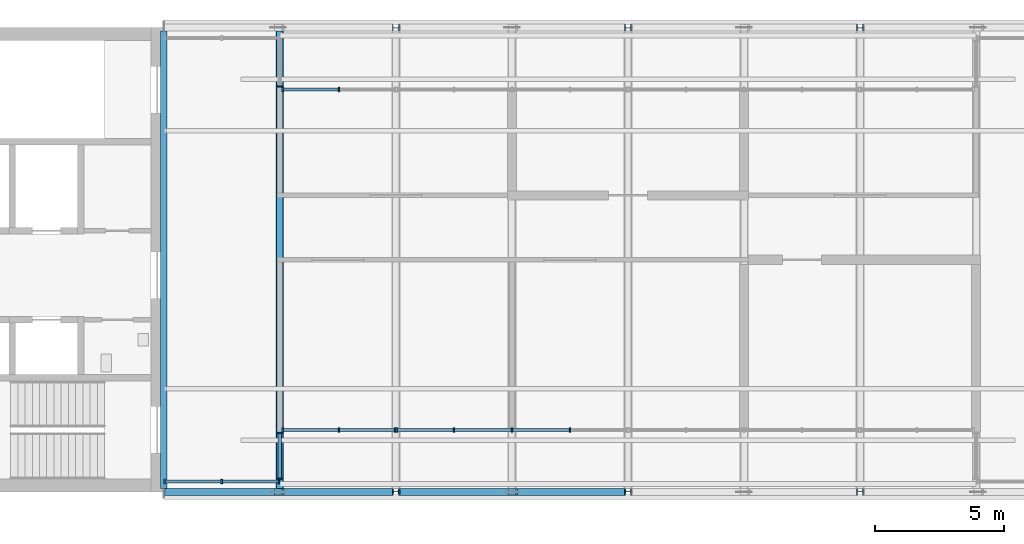
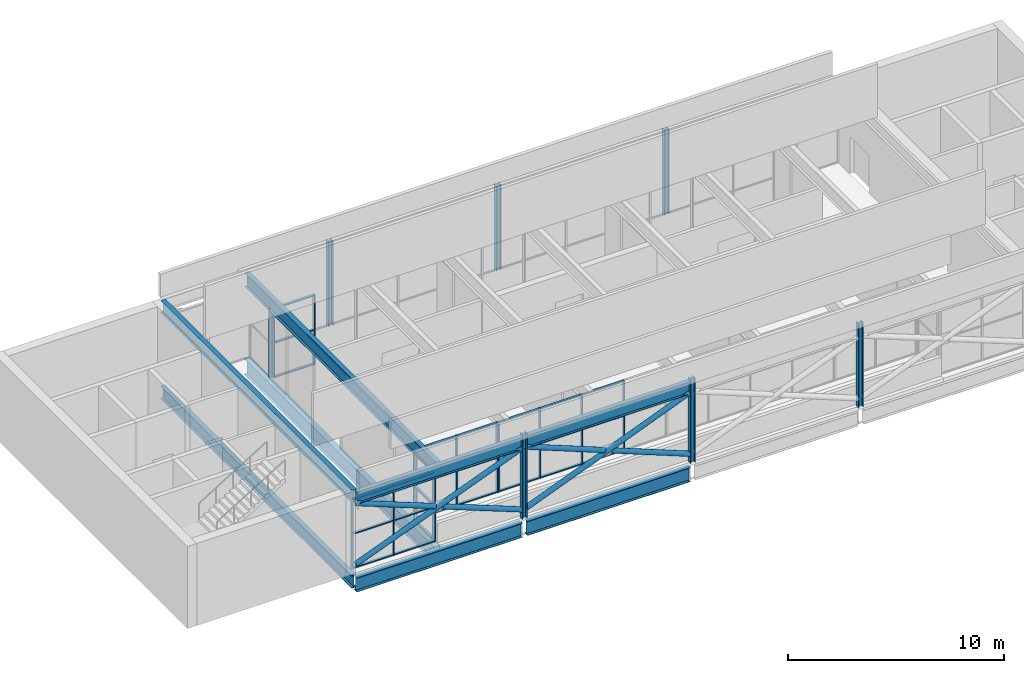
# One storey, part 1 of 13: 48 members, 8 beams, 6 columns, 6 elements without a shape of their own.
"""IFC4 building model written with IfcOpenShell, lengths in metres."""

from ifc_helpers import new_model, si_unit, direction, frame, origin, origin_2d, place, context, subcontext, project, spatial, rectangle, hollow_circle, i_section, extrude, material, layer, layer_set, material_profile, profile_set, type_object, element, aggregate, save


model = new_model("IFC4")

# Units and contexts
model_context = context("Model", 3, precision=1e-05, world=origin(), true_north=direction((0.0, 1.0)))
body_context = subcontext(model_context, "Body", "Model", "MODEL_VIEW")
ifc_project = project(units=[si_unit("LENGTHUNIT", "METRE"), si_unit("AREAUNIT", "SQUARE_METRE"), si_unit("VOLUMEUNIT", "CUBIC_METRE"), si_unit("PLANEANGLEUNIT", "RADIAN"), si_unit("MASSUNIT", "GRAM", prefix="KILO")], contexts=[model_context])

# Site, building, storey
site_placement = place(None, origin())
site = spatial("IfcSite", under=ifc_project, at=site_placement, CompositionType="ELEMENT")
building_placement = place(site_placement, origin())
building = spatial("IfcBuilding", under=site, at=building_placement, Name="Corbel Yard City Hall", CompositionType="ELEMENT")
storey_placement = place(building_placement, frame((0.0, 0.0, 71.199951171875)))
storey = spatial("IfcBuildingStorey", under=building, at=storey_placement, Name="L17", CompositionType="ELEMENT", Elevation=71.199951171875)

# Columns
ifc_material_1 = material(Name="Steel Grade 300 (300 MPa yield)", Category="steel")
ifc_material_profile_1 = material_profile(ifc_material_1, i_section(OverallWidth=0.256103515625, OverallDepth=0.260009765625, WebThickness=0.010498046875, FlangeThickness=0.017333984375, at=origin_2d()), Name="250UC89.5")
ifc_profile_set_1 = profile_set([ifc_material_profile_1], Name="Steel Grade 300 (300 MPa yield)")
column_type = type_object("IfcColumnType", Name="Column 250UC89.5", PredefinedType="COLUMN", material=ifc_profile_set_1)
for number, where, z_axis, x_axis, name in (
    (1, (18.0, 99.0, 0.0), (0.0, 0.0, 1.0), (0.0, 1.0, 0.0), "Column 250UC89.5 L/3 L17"),
    (2, (18.0, 117.0, 0.0), (0.0, 0.0, 1.0), (0.0, 1.0, 0.0), "Column 250UC89.5 N/3 L17"),
    (3, (27.0, 99.0, 0.0), (0.0, 0.0, 1.0), (0.0, 1.0, 0.0), "Column 250UC89.5 L/4 L17"),
    (4, (27.0, 117.0, 0.0), (0.0, 0.0, 1.0), (0.0, 1.0, 0.0), "Column 250UC89.5 N/4 L17"),
    (5, (36.0, 99.0, 0.0), (0.0, 0.0, 1.0), (0.0, 1.0, 0.0), "Column 250UC89.5 L/5 L17"),
    (6, (36.0, 117.0, 0.0), (0.0, 0.0, 1.0), (0.0, 1.0, 0.0), "Column 250UC89.5 N/5 L17"),
):
    element("IfcColumn", number, at=place(storey_placement, frame(where, z_axis=z_axis, x_axis=x_axis)), inside=storey, type_object=column_type, Name=name, PredefinedType="COLUMN", context=body_context, shape_type="SweptSolid", body=[
        extrude(i_section(OverallWidth=0.256103515625, OverallDepth=0.260009765625, WebThickness=0.010498046875, FlangeThickness=0.017333984375, at=origin_2d()), origin(), (0.0, 0.0, 1.0), 4.800048828125),
    ])

# Members
ifc_material_2 = material(Name="Steel Grade C350L0", Category="steel")
ifc_material_profile_2 = material_profile(ifc_material_2, hollow_circle(Radius=0.136474609375, WallThickness=0.00927734375, at=origin_2d()), Name="273.1x9.3CHS")
ifc_profile_set_2 = profile_set([ifc_material_profile_2], Name="Steel Grade C350L0")
member_type_1 = type_object("IfcMemberType", Name="Crown brace 273.1x9.3CHS", PredefinedType="BRACE", material=ifc_profile_set_2)
member_1_placement = place(storey_placement, frame((9.0, 99.0, 0.5), z_axis=(0.93155453229, 0.0, 0.363601641044), x_axis=(0.0, 1.0, 0.0)))
element("IfcMember", 7, at=member_1_placement, inside=storey, type_object=member_type_1, Name="Crown brace 273.1x9.3CHS BX1", PredefinedType="BRACE", context=body_context, shape_type="SweptSolid", body=[
    extrude(hollow_circle(Radius=0.136474609375, WallThickness=0.00927734375, at=origin_2d()), origin(), (0.0, 0.0, 1.0), 9.521728515625),
])
member_2_placement = place(storey_placement, frame((18.1298828125, 99.0, 0.5), z_axis=(0.929716231841, 0.0, 0.368276700663), x_axis=(0.0, 1.0, 0.0)))
element("IfcMember", 8, at=member_2_placement, inside=storey, type_object=member_type_1, Name="Crown brace 273.1x9.3CHS BX1", PredefinedType="BRACE", context=body_context, shape_type="SweptSolid", body=[
    extrude(hollow_circle(Radius=0.136474609375, WallThickness=0.00927734375, at=origin_2d()), origin(), (0.0, 0.0, 1.0), 9.40087890625),
])
ifc_material_profile_3 = material_profile(ifc_material_2, hollow_circle(Radius=0.136474609375, WallThickness=0.00927734375, at=origin_2d()), Name="273.1x9.3CHS")
ifc_profile_set_3 = profile_set([ifc_material_profile_3], Name="Steel Grade C350L0")
member_type_2 = type_object("IfcMemberType", Name="Crown half brace 273.1x9.3CHS", PredefinedType="BRACE", material=ifc_profile_set_3)
member_3_placement = place(storey_placement, frame((9.0, 99.0, 3.962158203125), z_axis=(0.931548000726, 0.0, -0.363618374594), x_axis=(0.0, 1.0, 0.0)))
element("IfcMember", 9, at=member_3_placement, inside=storey, type_object=member_type_2, Name="Crown half brace 273.1x9.3CHS BX2", PredefinedType="BRACE", context=body_context, shape_type="SweptSolid", body=[
    extrude(hollow_circle(Radius=0.136474609375, WallThickness=0.00927734375, at=origin_2d()), origin(), (0.0, 0.0, 1.0), 4.562255859375),
])
member_4_placement = place(storey_placement, frame((13.619873046875, 99.0, 2.158935546875), z_axis=(0.931555075549, 0.0, -0.363600249202), x_axis=(0.0, 1.0, 0.0)))
element("IfcMember", 10, at=member_4_placement, inside=storey, type_object=member_type_2, Name="Crown half brace 273.1x9.3CHS BX2", PredefinedType="BRACE", context=body_context, shape_type="SweptSolid", body=[
    extrude(hollow_circle(Radius=0.136474609375, WallThickness=0.00927734375, at=origin_2d()), origin(), (0.0, 0.0, 1.0), 4.5625),
])
for number, where, z_axis, x_axis, name in (
    (11, (18.1298828125, 99.0, 3.962158203125), (0.929720022455, 0.0, -0.368267131096), (0.0, 1.0, 0.0), "Crown half brace 273.1x9.3CHS BX2"),
    (12, (22.6826171875, 99.0, 2.15869140625), (0.929720022455, 0.0, -0.368267131096), (0.0, 1.0, 0.0), "Crown half brace 273.1x9.3CHS BX2"),
):
    element("IfcMember", number, at=place(storey_placement, frame(where, z_axis=z_axis, x_axis=x_axis)), inside=storey, type_object=member_type_2, Name=name, PredefinedType="BRACE", context=body_context, shape_type="SweptSolid", body=[
        extrude(hollow_circle(Radius=0.136474609375, WallThickness=0.00927734375, at=origin_2d()), origin(), (0.0, 0.0, 1.0), 4.504150390625),
    ])

# Beams
ifc_material_3 = material(Name="Steel Grade 350", Category="steel")
ifc_material_profile_4 = material_profile(ifc_material_3, i_section(OverallWidth=0.25, OverallDepth=0.699951171875, WebThickness=0.010009765625, FlangeThickness=0.02001953125, at=origin_2d()), Name="700WB130")
ifc_profile_set_4 = profile_set([ifc_material_profile_4], Name="Steel Grade 350")
beam_type_1 = type_object("IfcBeamType", Name="Edge beam 700WB130", PredefinedType="BEAM", material=ifc_profile_set_4)
beam_1_placement = place(storey_placement, frame((9.0, 99.0, 4.300048828125), z_axis=(1.0, 0.0, 0.0), x_axis=(0.0, 1.0, 0.0)))
element("IfcBeam", 13, at=beam_1_placement, inside=storey, type_object=beam_type_1, Name="Edge beam 700WB130 EB9 L17roof", PredefinedType="BEAM", context=body_context, shape_type="SweptSolid", body=[
    extrude(i_section(OverallWidth=0.25, OverallDepth=0.699951171875, WebThickness=0.010009765625, FlangeThickness=0.02001953125, at=origin_2d()), origin(), (0.0, 0.0, 1.0), 8.8701171875),
])
beam_2_placement = place(storey_placement, frame((18.1298828125, 99.0, 4.300048828125), z_axis=(1.0, 0.0, 0.0), x_axis=(0.0, 1.0, 0.0)))
element("IfcBeam", 14, at=beam_2_placement, inside=storey, type_object=beam_type_1, Name="Edge beam 700WB130 EB9 L17roof", PredefinedType="BEAM", context=body_context, shape_type="SweptSolid", body=[
    extrude(i_section(OverallWidth=0.25, OverallDepth=0.699951171875, WebThickness=0.010009765625, FlangeThickness=0.02001953125, at=origin_2d()), origin(), (0.0, 0.0, 1.0), 8.740234375),
])
ifc_material_profile_5 = material_profile(ifc_material_3, i_section(OverallWidth=0.27490234375, OverallDepth=0.800048828125, WebThickness=0.010009765625, FlangeThickness=0.02001953125, at=origin_2d()), Name="800WB146")
ifc_profile_set_5 = profile_set([ifc_material_profile_5], Name="Steel Grade 350")
beam_type_2 = type_object("IfcBeamType", Name="Edge beam 800WB146", PredefinedType="BEAM", material=ifc_profile_set_5)
beam_3_placement = place(storey_placement, frame((9.0, 99.0, -0.599853515625), z_axis=(1.0, 0.0, 0.0), x_axis=(0.0, 1.0, 0.0)))
element("IfcBeam", 15, at=beam_3_placement, inside=storey, type_object=beam_type_2, Name="Edge beam 800WB146 EB11 L17tower", PredefinedType="BEAM", context=body_context, shape_type="SweptSolid", body=[
    extrude(i_section(OverallWidth=0.27490234375, OverallDepth=0.800048828125, WebThickness=0.010009765625, FlangeThickness=0.02001953125, at=origin_2d()), origin(), (0.0, 0.0, 1.0), 8.8701171875),
])
beam_4_placement = place(storey_placement, frame((18.1298828125, 99.0, -0.599853515625), z_axis=(1.0, 0.0, 0.0), x_axis=(0.0, 1.0, 0.0)))
element("IfcBeam", 16, at=beam_4_placement, inside=storey, type_object=beam_type_2, Name="Edge beam 800WB146 EB11 L17tower", PredefinedType="BEAM", context=body_context, shape_type="SweptSolid", body=[
    extrude(i_section(OverallWidth=0.27490234375, OverallDepth=0.800048828125, WebThickness=0.010009765625, FlangeThickness=0.02001953125, at=origin_2d()), origin(), (0.0, 0.0, 1.0), 8.740234375),
])
ifc_material_profile_6 = material_profile(ifc_material_3, i_section(OverallWidth=0.25, OverallDepth=0.69189453125, WebThickness=0.010009765625, FlangeThickness=0.01611328125, at=origin_2d()), Name="700WB115")
ifc_profile_set_6 = profile_set([ifc_material_profile_6], Name="Steel Grade 350")
beam_type_3 = type_object("IfcBeamType", Name="Long-span edge beam 700WB115", PredefinedType="BEAM", material=ifc_profile_set_6)
beam_5_placement = place(storey_placement, frame((9.0, 99.125, 4.303955078125), z_axis=(0.0, 1.0, 0.0), x_axis=(-1.0, 0.0, 0.0)))
element("IfcBeam", 17, at=beam_5_placement, inside=storey, type_object=beam_type_3, Name="Long-span edge beam 700WB115 EB12 L17roof", PredefinedType="BEAM", context=body_context, shape_type="SweptSolid", body=[
    extrude(i_section(OverallWidth=0.25, OverallDepth=0.69189453125, WebThickness=0.010009765625, FlangeThickness=0.01611328125, at=origin_2d()), origin(), (0.0, 0.0, 1.0), 17.75),
])
ifc_material_profile_7 = material_profile(ifc_material_3, i_section(OverallWidth=0.25, OverallDepth=0.7099609375, WebThickness=0.010009765625, FlangeThickness=0.02490234375, at=origin_2d()), Name="700WB150")
ifc_profile_set_7 = profile_set([ifc_material_profile_7], Name="Steel Grade 350")
beam_type_4 = type_object("IfcBeamType", Name="Long-span edge beam 700WB150", PredefinedType="BEAM", material=ifc_profile_set_7)
beam_6_placement = place(storey_placement, frame((9.0, 99.137451171875, -0.554931640625), z_axis=(0.0, 1.0, 0.0), x_axis=(-1.0, 0.0, 0.0)))
element("IfcBeam", 18, at=beam_6_placement, inside=storey, type_object=beam_type_4, Name="Long-span edge beam 700WB150 EB8 L17tower", PredefinedType="BEAM", context=body_context, shape_type="SweptSolid", body=[
    extrude(i_section(OverallWidth=0.25, OverallDepth=0.7099609375, WebThickness=0.010009765625, FlangeThickness=0.02490234375, at=origin_2d()), origin(), (0.0, 0.0, 1.0), 17.72509765625),
])
ifc_material_profile_8 = material_profile(ifc_material_3, i_section(OverallWidth=0.25, OverallDepth=0.7919921875, WebThickness=0.010009765625, FlangeThickness=0.01611328125, at=origin_2d()), Name="800WB122")
ifc_profile_set_8 = profile_set([ifc_material_profile_8], Name="Steel Grade 350")
beam_type_5 = type_object("IfcBeamType", Name="Long-span secondary beam 800WB122", PredefinedType="JOIST", material=ifc_profile_set_8)
beam_7_placement = place(storey_placement, frame((13.5, 99.125, 4.254150390625), z_axis=(0.0, 1.0, 0.0), x_axis=(-1.0, 0.0, 0.0)))
element("IfcBeam", 19, at=beam_7_placement, inside=storey, type_object=beam_type_5, Name="Long-span secondary beam 800WB122 SB20 L17roof", PredefinedType="JOIST", context=body_context, shape_type="SweptSolid", body=[
    extrude(i_section(OverallWidth=0.25, OverallDepth=0.7919921875, WebThickness=0.010009765625, FlangeThickness=0.01611328125, at=origin_2d()), origin(), (0.0, 0.0, 1.0), 17.75),
])
ifc_material_profile_9 = material_profile(ifc_material_3, i_section(OverallWidth=0.300048828125, OverallDepth=0.89990234375, WebThickness=0.011962890625, FlangeThickness=0.02001953125, at=origin_2d()), Name="900WB175")
ifc_profile_set_9 = profile_set([ifc_material_profile_9], Name="Steel Grade 350")
beam_type_6 = type_object("IfcBeamType", Name="Long-span secondary beam 900WB175", PredefinedType="JOIST", material=ifc_profile_set_9)
beam_8_placement = place(storey_placement, frame((13.5, 99.137451171875, -0.64990234375), z_axis=(0.0, 1.0, 0.0), x_axis=(-1.0, 0.0, 0.0)))
element("IfcBeam", 20, at=beam_8_placement, inside=storey, type_object=beam_type_6, Name="Long-span secondary beam 900WB175 SB3 L17tower", PredefinedType="JOIST", context=body_context, shape_type="SweptSolid", body=[
    extrude(i_section(OverallWidth=0.300048828125, OverallDepth=0.89990234375, WebThickness=0.011962890625, FlangeThickness=0.02001953125, at=origin_2d()), origin(), (0.0, 0.0, 1.0), 17.72509765625),
])

# Curtain wall, members
ifc_material_4 = material(Name="Aluminium extrusion", Category="aluminium")
ifc_layer = layer(ifc_material_4, 0.159912109375)
ifc_layer_set = layer_set([ifc_layer], Name="Aluminium extrusion")
curtain_wall_type = type_object("IfcCurtainWallType", Name="CW8", PredefinedType="USERDEFINED", material=ifc_layer_set)
curtain_wall_1_placement = place(storey_placement, origin())
curtain_wall_1 = element("IfcCurtainWall", 21, at=curtain_wall_1_placement, inside=storey, type_object=curtain_wall_type, Name="Curtain wall CW8 L17", ObjectType="CURTAIN WALL", PredefinedType="USERDEFINED")
ifc_material_profile_10 = material_profile(ifc_material_4, rectangle(XDim=0.159912109375, YDim=0.06494140625, at=origin_2d()), Name="160x65")
ifc_profile_set_10 = profile_set([ifc_material_profile_10], Name="Aluminium extrusion")
member_type_3 = type_object("IfcMemberType", Name="ML8", PredefinedType="MULLION", material=ifc_profile_set_10)
member_5_placement = place(storey_placement, frame((9.032470703125, 99.39990234375, 0.0), z_axis=(0.0, 0.0, 1.0), x_axis=(0.0, 1.0, 0.0)))
member_5 = element("IfcMember", 22, at=member_5_placement, type_object=member_type_3, Name="CW8 mullion 1", PredefinedType="MULLION", context=body_context, shape_type="SweptSolid", body=[
    extrude(rectangle(XDim=0.159912109375, YDim=0.06494140625, at=origin_2d()), origin(), (0.0, 0.0, 1.0), 3.949951171875),
])
member_6_placement = place(storey_placement, frame((11.25, 99.39990234375, 0.0), z_axis=(0.0, 0.0, 1.0), x_axis=(0.0, 1.0, 0.0)))
member_6 = element("IfcMember", 23, at=member_6_placement, type_object=member_type_3, Name="CW8 mullion 2", PredefinedType="MULLION", context=body_context, shape_type="SweptSolid", body=[
    extrude(rectangle(XDim=0.159912109375, YDim=0.06494140625, at=origin_2d()), origin(), (0.0, 0.0, 1.0), 3.949951171875),
])
member_7_placement = place(storey_placement, frame((13.467529296875, 99.39990234375, 0.0), z_axis=(0.0, 0.0, 1.0), x_axis=(0.0, 1.0, 0.0)))
member_7 = element("IfcMember", 24, at=member_7_placement, type_object=member_type_3, Name="CW8 mullion 3", PredefinedType="MULLION", context=body_context, shape_type="SweptSolid", body=[
    extrude(rectangle(XDim=0.159912109375, YDim=0.06494140625, at=origin_2d()), origin(), (0.0, 0.0, 1.0), 3.949951171875),
])

curtain_wall_2_placement = place(storey_placement, origin())
curtain_wall_2 = element("IfcCurtainWall", 25, at=curtain_wall_2_placement, inside=storey, type_object=curtain_wall_type, Name="Curtain wall CW8 L17", ObjectType="CURTAIN WALL", PredefinedType="USERDEFINED")
member_8_placement = place(storey_placement, frame((13.612548828125, 101.39990234375, 0.0), z_axis=(0.0, 0.0, 1.0), x_axis=(0.0, 1.0, 0.0)))
member_8 = element("IfcMember", 26, at=member_8_placement, type_object=member_type_3, Name="CW8 mullion 1", PredefinedType="MULLION", context=body_context, shape_type="SweptSolid", body=[
    extrude(rectangle(XDim=0.159912109375, YDim=0.06494140625, at=origin_2d()), origin(), (0.0, 0.0, 1.0), 3.949951171875),
])
member_9_placement = place(storey_placement, frame((15.7900390625, 101.39990234375, 0.0), z_axis=(0.0, 0.0, 1.0), x_axis=(0.0, 1.0, 0.0)))
member_9 = element("IfcMember", 27, at=member_9_placement, type_object=member_type_3, Name="CW8 mullion 2", PredefinedType="MULLION", context=body_context, shape_type="SweptSolid", body=[
    extrude(rectangle(XDim=0.159912109375, YDim=0.06494140625, at=origin_2d()), origin(), (0.0, 0.0, 1.0), 3.949951171875),
])
member_10_placement = place(storey_placement, frame((17.967529296875, 101.39990234375, 0.0), z_axis=(0.0, 0.0, 1.0), x_axis=(0.0, 1.0, 0.0)))
member_10 = element("IfcMember", 28, at=member_10_placement, type_object=member_type_3, Name="CW8 mullion 3", PredefinedType="MULLION", context=body_context, shape_type="SweptSolid", body=[
    extrude(rectangle(XDim=0.159912109375, YDim=0.06494140625, at=origin_2d()), origin(), (0.0, 0.0, 1.0), 3.949951171875),
])

curtain_wall_3_placement = place(storey_placement, origin())
curtain_wall_3 = element("IfcCurtainWall", 29, at=curtain_wall_3_placement, inside=storey, type_object=curtain_wall_type, Name="Curtain wall CW8 L17", ObjectType="CURTAIN WALL", PredefinedType="USERDEFINED")
member_11_placement = place(storey_placement, frame((18.032470703125, 101.39990234375, 0.0), z_axis=(0.0, 0.0, 1.0), x_axis=(0.0, 1.0, 0.0)))
member_11 = element("IfcMember", 30, at=member_11_placement, type_object=member_type_3, Name="CW8 mullion 1", PredefinedType="MULLION", context=body_context, shape_type="SweptSolid", body=[
    extrude(rectangle(XDim=0.159912109375, YDim=0.06494140625, at=origin_2d()), origin(), (0.0, 0.0, 1.0), 3.949951171875),
])
member_12_placement = place(storey_placement, frame((20.25, 101.39990234375, 0.0), z_axis=(0.0, 0.0, 1.0), x_axis=(0.0, 1.0, 0.0)))
member_12 = element("IfcMember", 31, at=member_12_placement, type_object=member_type_3, Name="CW8 mullion 2", PredefinedType="MULLION", context=body_context, shape_type="SweptSolid", body=[
    extrude(rectangle(XDim=0.159912109375, YDim=0.06494140625, at=origin_2d()), origin(), (0.0, 0.0, 1.0), 3.949951171875),
])
member_13_placement = place(storey_placement, frame((22.5, 101.39990234375, 0.0), z_axis=(0.0, 0.0, 1.0), x_axis=(0.0, 1.0, 0.0)))
member_13 = element("IfcMember", 32, at=member_13_placement, type_object=member_type_3, Name="CW8 mullion 3", PredefinedType="MULLION", context=body_context, shape_type="SweptSolid", body=[
    extrude(rectangle(XDim=0.159912109375, YDim=0.06494140625, at=origin_2d()), origin(), (0.0, 0.0, 1.0), 3.949951171875),
])
member_14_placement = place(storey_placement, frame((24.75, 101.39990234375, 0.0), z_axis=(0.0, 0.0, 1.0), x_axis=(0.0, 1.0, 0.0)))
member_14 = element("IfcMember", 33, at=member_14_placement, type_object=member_type_3, Name="CW8 mullion 4", PredefinedType="MULLION", context=body_context, shape_type="SweptSolid", body=[
    extrude(rectangle(XDim=0.159912109375, YDim=0.06494140625, at=origin_2d()), origin(), (0.0, 0.0, 1.0), 3.949951171875),
])

curtain_wall_4_placement = place(storey_placement, origin())
curtain_wall_4 = element("IfcCurtainWall", 34, at=curtain_wall_4_placement, inside=storey, type_object=curtain_wall_type, Name="Curtain wall CW8 L17", ObjectType="CURTAIN WALL", PredefinedType="USERDEFINED")
member_15_placement = place(storey_placement, frame((13.5, 99.512451171875, 0.0), z_axis=(0.0, 0.0, 1.0), x_axis=(-1.0, 0.0, 0.0)))
member_15 = element("IfcMember", 35, at=member_15_placement, type_object=member_type_3, Name="CW8 mullion 1", PredefinedType="MULLION", context=body_context, shape_type="SweptSolid", body=[
    extrude(rectangle(XDim=0.159912109375, YDim=0.06494140625, at=origin_2d()), origin(), (0.0, 0.0, 1.0), 3.949951171875),
])
member_16_placement = place(storey_placement, frame((13.5, 101.28759765625, 0.0), z_axis=(0.0, 0.0, 1.0), x_axis=(-1.0, 0.0, 0.0)))
member_16 = element("IfcMember", 36, at=member_16_placement, type_object=member_type_3, Name="CW8 mullion 2", PredefinedType="MULLION", context=body_context, shape_type="SweptSolid", body=[
    extrude(rectangle(XDim=0.159912109375, YDim=0.06494140625, at=origin_2d()), origin(), (0.0, 0.0, 1.0), 3.949951171875),
])

curtain_wall_5_placement = place(storey_placement, origin())
curtain_wall_5 = element("IfcCurtainWall", 37, at=curtain_wall_5_placement, inside=storey, type_object=curtain_wall_type, Name="Curtain wall CW8 L17", ObjectType="CURTAIN WALL", PredefinedType="USERDEFINED")
member_17_placement = place(storey_placement, frame((13.612548828125, 114.60009765625, 0.0), z_axis=(0.0, 0.0, 1.0), x_axis=(0.0, 1.0, 0.0)))
member_17 = element("IfcMember", 38, at=member_17_placement, type_object=member_type_3, Name="CW8 mullion 1", PredefinedType="MULLION", context=body_context, shape_type="SweptSolid", body=[
    extrude(rectangle(XDim=0.159912109375, YDim=0.06494140625, at=origin_2d()), origin(), (0.0, 0.0, 1.0), 3.949951171875),
])
member_18_placement = place(storey_placement, frame((15.7900390625, 114.60009765625, 0.0), z_axis=(0.0, 0.0, 1.0), x_axis=(0.0, 1.0, 0.0)))
member_18 = element("IfcMember", 39, at=member_18_placement, type_object=member_type_3, Name="CW8 mullion 2", PredefinedType="MULLION", context=body_context, shape_type="SweptSolid", body=[
    extrude(rectangle(XDim=0.159912109375, YDim=0.06494140625, at=origin_2d()), origin(), (0.0, 0.0, 1.0), 3.949951171875),
])

# Curtain wall, member
curtain_wall_6_placement = place(storey_placement, origin())
curtain_wall_6 = element("IfcCurtainWall", 40, at=curtain_wall_6_placement, inside=storey, type_object=curtain_wall_type, Name="Curtain wall CW8 L17", ObjectType="CURTAIN WALL", PredefinedType="USERDEFINED")
member_19_placement = place(storey_placement, frame((13.5, 114.71240234375, 0.0), z_axis=(0.0, 0.0, 1.0), x_axis=(1.0, 0.0, 0.0)))
member_19 = element("IfcMember", 41, at=member_19_placement, type_object=member_type_3, Name="CW8 mullion 2", PredefinedType="MULLION", context=body_context, shape_type="SweptSolid", body=[
    extrude(rectangle(XDim=0.159912109375, YDim=0.06494140625, at=origin_2d()), origin(), (0.0, 0.0, 1.0), 3.949951171875),
])
aggregate(curtain_wall_6, [member_19])

# Member
ifc_material_profile_11 = material_profile(ifc_material_4, rectangle(XDim=0.1298828125, YDim=0.06494140625, at=origin_2d()), Name="130x65")
ifc_profile_set_11 = profile_set([ifc_material_profile_11], Name="Aluminium extrusion")
member_type_4 = type_object("IfcMemberType", Name="TR8", PredefinedType="USERDEFINED", material=ifc_profile_set_11)
member_20_placement = place(storey_placement, frame((9.06494140625, 99.39990234375, 0.032470703125), z_axis=(1.0, 0.0, 0.0), x_axis=(0.0, 1.0, 0.0)))
member_20 = element("IfcMember", 42, at=member_20_placement, type_object=member_type_4, Name="CW8 transom 1.1", ObjectType="TRANSOM", PredefinedType="USERDEFINED", context=body_context, shape_type="SweptSolid", body=[
    extrude(rectangle(XDim=0.1298828125, YDim=0.06494140625, at=origin_2d()), origin(), (0.0, 0.0, 1.0), 2.152587890625),
])

member_21_placement = place(storey_placement, frame((9.06494140625, 99.39990234375, 1.97509765625), z_axis=(1.0, 0.0, 0.0), x_axis=(0.0, 1.0, 0.0)))
member_21 = element("IfcMember", 43, at=member_21_placement, type_object=member_type_4, Name="CW8 transom 1.2", ObjectType="TRANSOM", PredefinedType="USERDEFINED", context=body_context, shape_type="SweptSolid", body=[
    extrude(rectangle(XDim=0.1298828125, YDim=0.06494140625, at=origin_2d()), origin(), (0.0, 0.0, 1.0), 2.152587890625),
])

member_22_placement = place(storey_placement, frame((9.06494140625, 99.39990234375, 3.91748046875), z_axis=(1.0, 0.0, 0.0), x_axis=(0.0, 1.0, 0.0)))
member_22 = element("IfcMember", 44, at=member_22_placement, type_object=member_type_4, Name="CW8 transom 1.3", ObjectType="TRANSOM", PredefinedType="USERDEFINED", context=body_context, shape_type="SweptSolid", body=[
    extrude(rectangle(XDim=0.1298828125, YDim=0.06494140625, at=origin_2d()), origin(), (0.0, 0.0, 1.0), 2.152587890625),
])

member_23_placement = place(storey_placement, frame((11.282470703125, 99.39990234375, 0.032470703125), z_axis=(1.0, 0.0, 0.0), x_axis=(0.0, 1.0, 0.0)))
member_23 = element("IfcMember", 45, at=member_23_placement, type_object=member_type_4, Name="CW8 transom 2.1", ObjectType="TRANSOM", PredefinedType="USERDEFINED", context=body_context, shape_type="SweptSolid", body=[
    extrude(rectangle(XDim=0.1298828125, YDim=0.06494140625, at=origin_2d()), origin(), (0.0, 0.0, 1.0), 2.152587890625),
])

member_24_placement = place(storey_placement, frame((11.282470703125, 99.39990234375, 1.97509765625), z_axis=(1.0, 0.0, 0.0), x_axis=(0.0, 1.0, 0.0)))
member_24 = element("IfcMember", 46, at=member_24_placement, type_object=member_type_4, Name="CW8 transom 2.2", ObjectType="TRANSOM", PredefinedType="USERDEFINED", context=body_context, shape_type="SweptSolid", body=[
    extrude(rectangle(XDim=0.1298828125, YDim=0.06494140625, at=origin_2d()), origin(), (0.0, 0.0, 1.0), 2.152587890625),
])

member_25_placement = place(storey_placement, frame((11.282470703125, 99.39990234375, 3.91748046875), z_axis=(1.0, 0.0, 0.0), x_axis=(0.0, 1.0, 0.0)))
member_25 = element("IfcMember", 47, at=member_25_placement, type_object=member_type_4, Name="CW8 transom 2.3", ObjectType="TRANSOM", PredefinedType="USERDEFINED", context=body_context, shape_type="SweptSolid", body=[
    extrude(rectangle(XDim=0.1298828125, YDim=0.06494140625, at=origin_2d()), origin(), (0.0, 0.0, 1.0), 2.152587890625),
])

aggregate(curtain_wall_1, [member_5, member_6, member_7, member_20, member_21, member_22, member_23, member_24, member_25])

member_26_placement = place(storey_placement, frame((13.64501953125, 101.39990234375, 0.032470703125), z_axis=(1.0, 0.0, 0.0), x_axis=(0.0, 1.0, 0.0)))
member_26 = element("IfcMember", 48, at=member_26_placement, type_object=member_type_4, Name="CW8 transom 1.1", ObjectType="TRANSOM", PredefinedType="USERDEFINED", context=body_context, shape_type="SweptSolid", body=[
    extrude(rectangle(XDim=0.1298828125, YDim=0.06494140625, at=origin_2d()), origin(), (0.0, 0.0, 1.0), 2.112548828125),
])

member_27_placement = place(storey_placement, frame((13.64501953125, 101.39990234375, 1.97509765625), z_axis=(1.0, 0.0, 0.0), x_axis=(0.0, 1.0, 0.0)))
member_27 = element("IfcMember", 49, at=member_27_placement, type_object=member_type_4, Name="CW8 transom 1.2", ObjectType="TRANSOM", PredefinedType="USERDEFINED", context=body_context, shape_type="SweptSolid", body=[
    extrude(rectangle(XDim=0.1298828125, YDim=0.06494140625, at=origin_2d()), origin(), (0.0, 0.0, 1.0), 2.112548828125),
])

member_28_placement = place(storey_placement, frame((13.64501953125, 101.39990234375, 3.91748046875), z_axis=(1.0, 0.0, 0.0), x_axis=(0.0, 1.0, 0.0)))
member_28 = element("IfcMember", 50, at=member_28_placement, type_object=member_type_4, Name="CW8 transom 1.3", ObjectType="TRANSOM", PredefinedType="USERDEFINED", context=body_context, shape_type="SweptSolid", body=[
    extrude(rectangle(XDim=0.1298828125, YDim=0.06494140625, at=origin_2d()), origin(), (0.0, 0.0, 1.0), 2.112548828125),
])

member_29_placement = place(storey_placement, frame((15.822509765625, 101.39990234375, 0.032470703125), z_axis=(1.0, 0.0, 0.0), x_axis=(0.0, 1.0, 0.0)))
member_29 = element("IfcMember", 51, at=member_29_placement, type_object=member_type_4, Name="CW8 transom 2.1", ObjectType="TRANSOM", PredefinedType="USERDEFINED", context=body_context, shape_type="SweptSolid", body=[
    extrude(rectangle(XDim=0.1298828125, YDim=0.06494140625, at=origin_2d()), origin(), (0.0, 0.0, 1.0), 2.112548828125),
])

member_30_placement = place(storey_placement, frame((15.822509765625, 101.39990234375, 1.97509765625), z_axis=(1.0, 0.0, 0.0), x_axis=(0.0, 1.0, 0.0)))
member_30 = element("IfcMember", 52, at=member_30_placement, type_object=member_type_4, Name="CW8 transom 2.2", ObjectType="TRANSOM", PredefinedType="USERDEFINED", context=body_context, shape_type="SweptSolid", body=[
    extrude(rectangle(XDim=0.1298828125, YDim=0.06494140625, at=origin_2d()), origin(), (0.0, 0.0, 1.0), 2.112548828125),
])

member_31_placement = place(storey_placement, frame((15.822509765625, 101.39990234375, 3.91748046875), z_axis=(1.0, 0.0, 0.0), x_axis=(0.0, 1.0, 0.0)))
member_31 = element("IfcMember", 53, at=member_31_placement, type_object=member_type_4, Name="CW8 transom 2.3", ObjectType="TRANSOM", PredefinedType="USERDEFINED", context=body_context, shape_type="SweptSolid", body=[
    extrude(rectangle(XDim=0.1298828125, YDim=0.06494140625, at=origin_2d()), origin(), (0.0, 0.0, 1.0), 2.112548828125),
])

aggregate(curtain_wall_2, [member_8, member_9, member_10, member_26, member_27, member_28, member_29, member_30, member_31])

member_32_placement = place(storey_placement, frame((18.06494140625, 101.39990234375, 0.032470703125), z_axis=(1.0, 0.0, 0.0), x_axis=(0.0, 1.0, 0.0)))
member_32 = element("IfcMember", 54, at=member_32_placement, type_object=member_type_4, Name="CW8 transom 1.1", ObjectType="TRANSOM", PredefinedType="USERDEFINED", context=body_context, shape_type="SweptSolid", body=[
    extrude(rectangle(XDim=0.1298828125, YDim=0.06494140625, at=origin_2d()), origin(), (0.0, 0.0, 1.0), 2.152587890625),
])

member_33_placement = place(storey_placement, frame((18.06494140625, 101.39990234375, 1.97509765625), z_axis=(1.0, 0.0, 0.0), x_axis=(0.0, 1.0, 0.0)))
member_33 = element("IfcMember", 55, at=member_33_placement, type_object=member_type_4, Name="CW8 transom 1.2", ObjectType="TRANSOM", PredefinedType="USERDEFINED", context=body_context, shape_type="SweptSolid", body=[
    extrude(rectangle(XDim=0.1298828125, YDim=0.06494140625, at=origin_2d()), origin(), (0.0, 0.0, 1.0), 2.152587890625),
])

member_34_placement = place(storey_placement, frame((18.06494140625, 101.39990234375, 3.91748046875), z_axis=(1.0, 0.0, 0.0), x_axis=(0.0, 1.0, 0.0)))
member_34 = element("IfcMember", 56, at=member_34_placement, type_object=member_type_4, Name="CW8 transom 1.3", ObjectType="TRANSOM", PredefinedType="USERDEFINED", context=body_context, shape_type="SweptSolid", body=[
    extrude(rectangle(XDim=0.1298828125, YDim=0.06494140625, at=origin_2d()), origin(), (0.0, 0.0, 1.0), 2.152587890625),
])

member_35_placement = place(storey_placement, frame((20.282470703125, 101.39990234375, 0.032470703125), z_axis=(1.0, 0.0, 0.0), x_axis=(0.0, 1.0, 0.0)))
member_35 = element("IfcMember", 57, at=member_35_placement, type_object=member_type_4, Name="CW8 transom 2.1", ObjectType="TRANSOM", PredefinedType="USERDEFINED", context=body_context, shape_type="SweptSolid", body=[
    extrude(rectangle(XDim=0.1298828125, YDim=0.06494140625, at=origin_2d()), origin(), (0.0, 0.0, 1.0), 2.18505859375),
])

member_36_placement = place(storey_placement, frame((20.282470703125, 101.39990234375, 1.97509765625), z_axis=(1.0, 0.0, 0.0), x_axis=(0.0, 1.0, 0.0)))
member_36 = element("IfcMember", 58, at=member_36_placement, type_object=member_type_4, Name="CW8 transom 2.2", ObjectType="TRANSOM", PredefinedType="USERDEFINED", context=body_context, shape_type="SweptSolid", body=[
    extrude(rectangle(XDim=0.1298828125, YDim=0.06494140625, at=origin_2d()), origin(), (0.0, 0.0, 1.0), 2.18505859375),
])

member_37_placement = place(storey_placement, frame((20.282470703125, 101.39990234375, 3.91748046875), z_axis=(1.0, 0.0, 0.0), x_axis=(0.0, 1.0, 0.0)))
member_37 = element("IfcMember", 59, at=member_37_placement, type_object=member_type_4, Name="CW8 transom 2.3", ObjectType="TRANSOM", PredefinedType="USERDEFINED", context=body_context, shape_type="SweptSolid", body=[
    extrude(rectangle(XDim=0.1298828125, YDim=0.06494140625, at=origin_2d()), origin(), (0.0, 0.0, 1.0), 2.18505859375),
])

member_38_placement = place(storey_placement, frame((22.532470703125, 101.39990234375, 0.032470703125), z_axis=(1.0, 0.0, 0.0), x_axis=(0.0, 1.0, 0.0)))
member_38 = element("IfcMember", 60, at=member_38_placement, type_object=member_type_4, Name="CW8 transom 3.1", ObjectType="TRANSOM", PredefinedType="USERDEFINED", context=body_context, shape_type="SweptSolid", body=[
    extrude(rectangle(XDim=0.1298828125, YDim=0.06494140625, at=origin_2d()), origin(), (0.0, 0.0, 1.0), 2.18505859375),
])

member_39_placement = place(storey_placement, frame((22.532470703125, 101.39990234375, 1.97509765625), z_axis=(1.0, 0.0, 0.0), x_axis=(0.0, 1.0, 0.0)))
member_39 = element("IfcMember", 61, at=member_39_placement, type_object=member_type_4, Name="CW8 transom 3.2", ObjectType="TRANSOM", PredefinedType="USERDEFINED", context=body_context, shape_type="SweptSolid", body=[
    extrude(rectangle(XDim=0.1298828125, YDim=0.06494140625, at=origin_2d()), origin(), (0.0, 0.0, 1.0), 2.18505859375),
])

member_40_placement = place(storey_placement, frame((22.532470703125, 101.39990234375, 3.91748046875), z_axis=(1.0, 0.0, 0.0), x_axis=(0.0, 1.0, 0.0)))
member_40 = element("IfcMember", 62, at=member_40_placement, type_object=member_type_4, Name="CW8 transom 3.3", ObjectType="TRANSOM", PredefinedType="USERDEFINED", context=body_context, shape_type="SweptSolid", body=[
    extrude(rectangle(XDim=0.1298828125, YDim=0.06494140625, at=origin_2d()), origin(), (0.0, 0.0, 1.0), 2.18505859375),
])

aggregate(curtain_wall_3, [member_11, member_12, member_13, member_14, member_32, member_33, member_34, member_35, member_36, member_37, member_38, member_39, member_40])

member_41_placement = place(storey_placement, frame((13.5, 99.544921875, 0.032470703125), z_axis=(0.0, 1.0, 0.0), x_axis=(-1.0, 0.0, 0.0)))
member_41 = element("IfcMember", 63, at=member_41_placement, type_object=member_type_4, Name="CW8 transom 1.1", ObjectType="TRANSOM", PredefinedType="USERDEFINED", context=body_context, shape_type="SweptSolid", body=[
    extrude(rectangle(XDim=0.1298828125, YDim=0.06494140625, at=origin_2d()), origin(), (0.0, 0.0, 1.0), 1.7099609375),
])

member_42_placement = place(storey_placement, frame((13.5, 99.544921875, 1.97509765625), z_axis=(0.0, 1.0, 0.0), x_axis=(-1.0, 0.0, 0.0)))
member_42 = element("IfcMember", 64, at=member_42_placement, type_object=member_type_4, Name="CW8 transom 1.2", ObjectType="TRANSOM", PredefinedType="USERDEFINED", context=body_context, shape_type="SweptSolid", body=[
    extrude(rectangle(XDim=0.1298828125, YDim=0.06494140625, at=origin_2d()), origin(), (0.0, 0.0, 1.0), 1.7099609375),
])

member_43_placement = place(storey_placement, frame((13.5, 99.544921875, 3.91748046875), z_axis=(0.0, 1.0, 0.0), x_axis=(-1.0, 0.0, 0.0)))
member_43 = element("IfcMember", 65, at=member_43_placement, type_object=member_type_4, Name="CW8 transom 1.3", ObjectType="TRANSOM", PredefinedType="USERDEFINED", context=body_context, shape_type="SweptSolid", body=[
    extrude(rectangle(XDim=0.1298828125, YDim=0.06494140625, at=origin_2d()), origin(), (0.0, 0.0, 1.0), 1.7099609375),
])

aggregate(curtain_wall_4, [member_15, member_16, member_41, member_42, member_43])

member_44_placement = place(storey_placement, frame((13.64501953125, 114.60009765625, 0.032470703125), z_axis=(1.0, 0.0, 0.0), x_axis=(0.0, 1.0, 0.0)))
member_44 = element("IfcMember", 66, at=member_44_placement, type_object=member_type_4, Name="CW8 transom 1.1", ObjectType="TRANSOM", PredefinedType="USERDEFINED", context=body_context, shape_type="SweptSolid", body=[
    extrude(rectangle(XDim=0.1298828125, YDim=0.06494140625, at=origin_2d()), origin(), (0.0, 0.0, 1.0), 2.112548828125),
])

member_45_placement = place(storey_placement, frame((13.64501953125, 114.60009765625, 1.97509765625), z_axis=(1.0, 0.0, 0.0), x_axis=(0.0, 1.0, 0.0)))
member_45 = element("IfcMember", 67, at=member_45_placement, type_object=member_type_4, Name="CW8 transom 1.2", ObjectType="TRANSOM", PredefinedType="USERDEFINED", context=body_context, shape_type="SweptSolid", body=[
    extrude(rectangle(XDim=0.1298828125, YDim=0.06494140625, at=origin_2d()), origin(), (0.0, 0.0, 1.0), 2.112548828125),
])

member_46_placement = place(storey_placement, frame((13.64501953125, 114.60009765625, 3.91748046875), z_axis=(1.0, 0.0, 0.0), x_axis=(0.0, 1.0, 0.0)))
member_46 = element("IfcMember", 68, at=member_46_placement, type_object=member_type_4, Name="CW8 transom 1.3", ObjectType="TRANSOM", PredefinedType="USERDEFINED", context=body_context, shape_type="SweptSolid", body=[
    extrude(rectangle(XDim=0.1298828125, YDim=0.06494140625, at=origin_2d()), origin(), (0.0, 0.0, 1.0), 2.112548828125),
])

aggregate(curtain_wall_5, [member_17, member_18, member_44, member_45, member_46])

save(model, "model.ifc")
